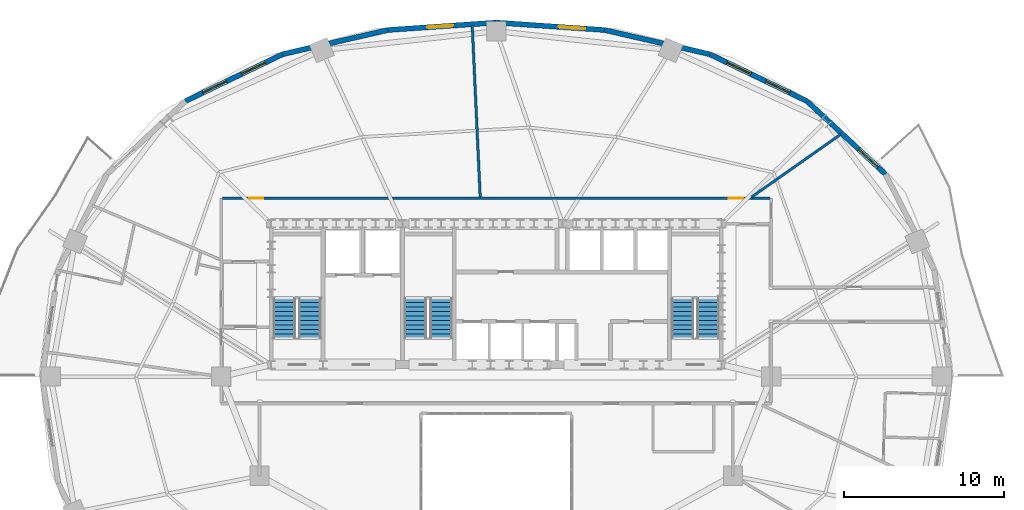
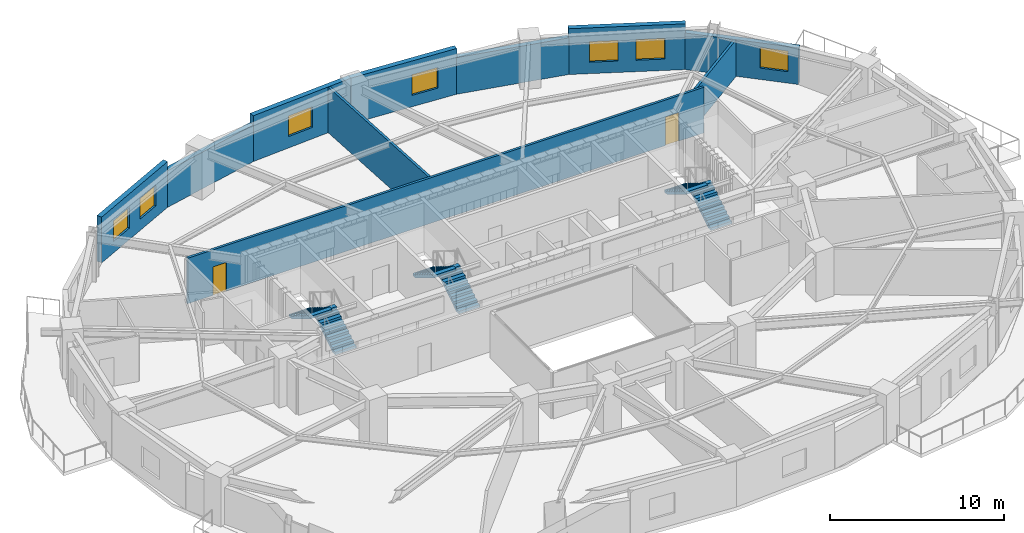
# One storey, part 9 of 13: 10 walls, 7 windows, 6 stair flights, 2 doors, 9 openings, 3 elements without a shape of their own.
"""IFC4 building model written with IfcOpenShell, lengths in metres."""

from ifc_helpers import new_model, si_unit, direction, frame, frame_2d, origin, place, context, subcontext, project, spatial, polyline, rectangle, outline, extrude, material, layer, layer_set, type_object, element, fill, aggregate, save


model = new_model("IFC4")

# Units and contexts
model_context = context("Model", 3, precision=1e-05, world=origin(), true_north=direction((0.0, 1.0)))
body_context = subcontext(model_context, "Body", "Model", "MODEL_VIEW")
ifc_project = project(units=[si_unit("LENGTHUNIT", "METRE"), si_unit("AREAUNIT", "SQUARE_METRE"), si_unit("VOLUMEUNIT", "CUBIC_METRE"), si_unit("PLANEANGLEUNIT", "RADIAN"), si_unit("MASSUNIT", "GRAM", prefix="KILO")], contexts=[model_context])

# Site, building, storey
site_placement = place(None, origin())
site = spatial("IfcSite", under=ifc_project, at=site_placement, CompositionType="ELEMENT")
building_placement = place(site_placement, origin())
building = spatial("IfcBuilding", under=site, at=building_placement, Name="Haldorwick Loom Tower", CompositionType="ELEMENT")
storey_placement = place(building_placement, frame((0.0, 0.0, 120.800048828125)))
storey = spatial("IfcBuildingStorey", under=building, at=storey_placement, Name="L32", CompositionType="ELEMENT", Elevation=120.800048828125)

# Wall, opening, window
ifc_material_1 = material(Name="Pressed Clay Face Brick and Insulated Masonry Backup Assembly", Category="masonry")
ifc_layer_1 = layer(ifc_material_1, 0.320068359375, Name="Pressed Clay Face Brick and Insulated Masonry Backup Assembly", Category="masonry")
ifc_layer_set_1 = layer_set([ifc_layer_1], Name="Pressed Clay Face Brick and Insulated Masonry Backup Assembly")
wall_type_1 = type_object("IfcWallType", Name="ARC-WL-EXT320", PredefinedType="STANDARD", material=ifc_layer_set_1)
wall_1_placement = place(storey_placement, frame((60.338623046875, 38.655517578125, 0.0), z_axis=(0.0, 0.0, 1.0), x_axis=(-0.732137360086, 0.681157020052, 0.0)))
wall_1 = element("IfcWall", 1, at=wall_1_placement, inside=storey, type_object=wall_type_1, Name="L32 Brick Pier and Spandrel Wall 3", PredefinedType="STANDARD", context=body_context, shape_type="SweptSolid", body=[
    extrude(rectangle(XDim=6.709228515625, YDim=0.320068359375, at=frame_2d((3.3544921875, 0.0))), origin(), (0.0, 0.0, 1.0), 2.56884765625),
])
opening_1_placement = place(wall_1_placement, frame((0.639892578125, 0.0, 0.800048828125)))
opening_1 = element("IfcOpeningElement", 2, at=opening_1_placement, cuts=wall_1, Name="Opening W-01B", PredefinedType="OPENING", context=body_context, shape_type="SweptSolid", body=[
    extrude(rectangle(XDim=1.64990234375, YDim=1.449951171875, at=frame_2d((0.824951171875, 0.72509765625))), frame((0.0, 0.169921875, 0.0), z_axis=(0.0, -1.0, 0.0), x_axis=(1.0, 0.0, 0.0)), (0.0, 0.0, 1.0), 0.340087890625),
])
ifc_material_2 = material(Name="Triple-Glazed Low-E Argon Insulated Glazing Unit", Category="glass")
window_type = type_object("IfcWindowType", Name="ARC-WIN-W165", PartitioningType="SINGLE_PANEL", PredefinedType="WINDOW", material=ifc_material_2)
window_1_placement = place(opening_1_placement, origin())
window_1 = element("IfcWindow", 3, at=window_1_placement, inside=storey, type_object=window_type, Name="L32 Deep-Set Zone 7A Window 3", OverallHeight=1.449951171875, OverallWidth=1.64990234375, PartitioningType="SINGLE_PANEL", PredefinedType="WINDOW", context=body_context, shape_type="SweptSolid", body=[
    extrude(rectangle(XDim=1.64990234375, YDim=1.449951171875, at=frame_2d((0.824951171875, 0.72509765625))), frame((0.0, 0.030029296875, 0.0), z_axis=(0.0, -1.0, 0.0), x_axis=(1.0, 0.0, 0.0)), (0.0, 0.0, 1.0), 0.06005859375),
])
fill(opening_1, window_1)

# Wall, openings, windows
wall_2_placement = place(storey_placement, frame((55.426513671875, 43.2255859375, 0.0), z_axis=(0.0, 0.0, 1.0), x_axis=(-0.900510094661, 0.434835106004, 0.0)))
wall_2 = element("IfcWall", 4, at=wall_2_placement, inside=storey, type_object=wall_type_1, Name="L32 Brick Pier and Spandrel Wall 4", PredefinedType="STANDARD", context=body_context, shape_type="SweptSolid", body=[
    extrude(rectangle(XDim=6.744873046875, YDim=0.320068359375, at=frame_2d((3.37255859375, 0.0))), origin(), (0.0, 0.0, 1.0), 3.2099609375),
])
opening_2_placement = place(wall_2_placement, frame((1.198486328125, 0.0, 0.800048828125)))
opening_2 = element("IfcOpeningElement", 5, at=opening_2_placement, cuts=wall_2, Name="Opening W-01B", PredefinedType="OPENING", context=body_context, shape_type="SweptSolid", body=[
    extrude(rectangle(XDim=1.64990234375, YDim=1.449951171875, at=frame_2d((0.824951171875, 0.72509765625))), frame((0.0, 0.169921875, 0.0), z_axis=(0.0, -1.0, 0.0), x_axis=(1.0, 0.0, 0.0)), (0.0, 0.0, 1.0), 0.340087890625),
])
opening_3_placement = place(wall_2_placement, frame((3.896484375, 0.0, 0.800048828125)))
opening_3 = element("IfcOpeningElement", 6, at=opening_3_placement, cuts=wall_2, Name="Opening W-01B", PredefinedType="OPENING", context=body_context, shape_type="SweptSolid", body=[
    extrude(rectangle(XDim=1.64990234375, YDim=1.449951171875, at=frame_2d((0.824951171875, 0.72509765625))), frame((0.0, 0.169921875, 0.0), z_axis=(0.0, -1.0, 0.0), x_axis=(1.0, 0.0, 0.0)), (0.0, 0.0, 1.0), 0.340087890625),
])
window_2_placement = place(opening_2_placement, origin())
window_2 = element("IfcWindow", 7, at=window_2_placement, inside=storey, type_object=window_type, Name="L32 Deep-Set Zone 7A Window 4", OverallHeight=1.449951171875, OverallWidth=1.64990234375, PartitioningType="SINGLE_PANEL", PredefinedType="WINDOW", context=body_context, shape_type="SweptSolid", body=[
    extrude(rectangle(XDim=1.64990234375, YDim=1.449951171875, at=frame_2d((0.824951171875, 0.72509765625))), frame((0.0, 0.030029296875, 0.0), z_axis=(0.0, -1.0, 0.0), x_axis=(1.0, 0.0, 0.0)), (0.0, 0.0, 1.0), 0.06005859375),
])
fill(opening_2, window_2)
window_3_placement = place(opening_3_placement, origin())
window_3 = element("IfcWindow", 8, at=window_3_placement, inside=storey, type_object=window_type, Name="L32 Deep-Set Zone 7A Window 4", OverallHeight=1.449951171875, OverallWidth=1.64990234375, PartitioningType="SINGLE_PANEL", PredefinedType="WINDOW", context=body_context, shape_type="SweptSolid", body=[
    extrude(rectangle(XDim=1.64990234375, YDim=1.449951171875, at=frame_2d((0.824951171875, 0.72509765625))), frame((0.0, 0.030029296875, 0.0), z_axis=(0.0, -1.0, 0.0), x_axis=(1.0, 0.0, 0.0)), (0.0, 0.0, 1.0), 0.06005859375),
])
fill(opening_3, window_3)

# Wall
wall_3_placement = place(storey_placement, frame((49.352783203125, 46.158447265625, 0.0), z_axis=(0.0, 0.0, 1.0), x_axis=(-0.974584177714, 0.224021607329, 0.0)))
element("IfcWall", 9, at=wall_3_placement, inside=storey, type_object=wall_type_1, Name="L32 Brick Pier and Spandrel Wall 5", PredefinedType="STANDARD", context=body_context, shape_type="SweptSolid", body=[
    extrude(rectangle(XDim=6.767822265625, YDim=0.320068359375, at=frame_2d((3.3837890625, 0.0))), origin(), (0.0, 0.0, 1.0), 2.56884765625),
])

# Wall, opening, window
wall_4_placement = place(storey_placement, frame((42.757080078125, 47.674560546875, 0.0), z_axis=(0.0, 0.0, 1.0), x_axis=(-0.997651949344, 0.068487867318, 0.0)))
wall_4 = element("IfcWall", 10, at=wall_4_placement, inside=storey, type_object=wall_type_1, Name="L32 Brick Pier and Spandrel Wall 6", PredefinedType="STANDARD", context=body_context, shape_type="SweptSolid", body=[
    extrude(rectangle(XDim=6.77294921875, YDim=0.320068359375, at=frame_2d((3.386474609375, 0.0))), origin(), (0.0, 0.0, 1.0), 3.2099609375),
])
opening_4_placement = place(wall_4_placement, frame((1.206787109375, 0.0, 0.800048828125)))
opening_4 = element("IfcOpeningElement", 11, at=opening_4_placement, cuts=wall_4, Name="Opening W-01B", PredefinedType="OPENING", context=body_context, shape_type="SweptSolid", body=[
    extrude(rectangle(XDim=1.64990234375, YDim=1.449951171875, at=frame_2d((0.824951171875, 0.72509765625))), frame((0.0, 0.169921875, 0.0), z_axis=(0.0, -1.0, 0.0), x_axis=(1.0, 0.0, 0.0)), (0.0, 0.0, 1.0), 0.340087890625),
])
window_4_placement = place(opening_4_placement, origin())
window_4 = element("IfcWindow", 12, at=window_4_placement, inside=storey, type_object=window_type, Name="L32 Deep-Set Zone 7A Window 6", OverallHeight=1.449951171875, OverallWidth=1.64990234375, PartitioningType="SINGLE_PANEL", PredefinedType="WINDOW", context=body_context, shape_type="SweptSolid", body=[
    extrude(rectangle(XDim=1.64990234375, YDim=1.449951171875, at=frame_2d((0.824951171875, 0.72509765625))), frame((0.0, 0.030029296875, 0.0), z_axis=(0.0, -1.0, 0.0), x_axis=(1.0, 0.0, 0.0)), (0.0, 0.0, 1.0), 0.06005859375),
])
fill(opening_4, window_4)

wall_5_placement = place(storey_placement, frame((36.0, 48.138427734375, 0.0), z_axis=(0.0, 0.0, 1.0), x_axis=(-0.997651949344, -0.068487867318, 0.0)))
wall_5 = element("IfcWall", 13, at=wall_5_placement, inside=storey, type_object=wall_type_1, Name="L32 Brick Pier and Spandrel Wall 7", PredefinedType="STANDARD", context=body_context, shape_type="SweptSolid", body=[
    extrude(rectangle(XDim=6.77294921875, YDim=0.320068359375, at=frame_2d((3.386474609375, 0.0))), origin(), (0.0, 0.0, 1.0), 3.2099609375),
])
opening_5_placement = place(wall_5_placement, frame((2.681640625, 0.0, 0.800048828125)))
opening_5 = element("IfcOpeningElement", 14, at=opening_5_placement, cuts=wall_5, Name="Opening W-01B", PredefinedType="OPENING", context=body_context, shape_type="SweptSolid", body=[
    extrude(rectangle(XDim=1.64990234375, YDim=1.449951171875, at=frame_2d((0.824951171875, 0.72509765625))), frame((0.0, 0.169921875, 0.0), z_axis=(0.0, -1.0, 0.0), x_axis=(1.0, 0.0, 0.0)), (0.0, 0.0, 1.0), 0.340087890625),
])
window_5_placement = place(opening_5_placement, origin())
window_5 = element("IfcWindow", 15, at=window_5_placement, inside=storey, type_object=window_type, Name="L32 Deep-Set Zone 7A Window 7", OverallHeight=1.449951171875, OverallWidth=1.64990234375, PartitioningType="SINGLE_PANEL", PredefinedType="WINDOW", context=body_context, shape_type="SweptSolid", body=[
    extrude(rectangle(XDim=1.64990234375, YDim=1.449951171875, at=frame_2d((0.824951171875, 0.72509765625))), frame((0.0, 0.030029296875, 0.0), z_axis=(0.0, -1.0, 0.0), x_axis=(1.0, 0.0, 0.0)), (0.0, 0.0, 1.0), 0.06005859375),
])
fill(opening_5, window_5)

# Wall
wall_6_placement = place(storey_placement, frame((29.242919921875, 47.674560546875, 0.0), z_axis=(0.0, 0.0, 1.0), x_axis=(-0.974584177714, -0.224021607329, 0.0)))
element("IfcWall", 16, at=wall_6_placement, inside=storey, type_object=wall_type_1, Name="L32 Brick Pier and Spandrel Wall 8", PredefinedType="STANDARD", context=body_context, shape_type="SweptSolid", body=[
    extrude(rectangle(XDim=6.767822265625, YDim=0.320068359375, at=frame_2d((3.3837890625, 0.0))), origin(), (0.0, 0.0, 1.0), 2.56884765625),
])

# Wall, openings, windows
wall_7_placement = place(storey_placement, frame((22.647216796875, 46.158447265625, 0.0), z_axis=(0.0, 0.0, 1.0), x_axis=(-0.900510094661, -0.434835106004, 0.0)))
wall_7 = element("IfcWall", 17, at=wall_7_placement, inside=storey, type_object=wall_type_1, Name="L32 Brick Pier and Spandrel Wall 9", PredefinedType="STANDARD", context=body_context, shape_type="SweptSolid", body=[
    extrude(rectangle(XDim=6.744873046875, YDim=0.320068359375, at=frame_2d((3.37255859375, 0.0))), origin(), (0.0, 0.0, 1.0), 3.2099609375),
])
opening_6_placement = place(wall_7_placement, frame((1.198486328125, 0.0, 0.800048828125)))
opening_6 = element("IfcOpeningElement", 18, at=opening_6_placement, cuts=wall_7, Name="Opening W-01B", PredefinedType="OPENING", context=body_context, shape_type="SweptSolid", body=[
    extrude(rectangle(XDim=1.64990234375, YDim=1.449951171875, at=frame_2d((0.824951171875, 0.72509765625))), frame((0.0, 0.169921875, 0.0), z_axis=(0.0, -1.0, 0.0), x_axis=(1.0, 0.0, 0.0)), (0.0, 0.0, 1.0), 0.340087890625),
])
opening_7_placement = place(wall_7_placement, frame((3.896484375, 0.0, 0.800048828125)))
opening_7 = element("IfcOpeningElement", 19, at=opening_7_placement, cuts=wall_7, Name="Opening W-01B", PredefinedType="OPENING", context=body_context, shape_type="SweptSolid", body=[
    extrude(rectangle(XDim=1.64990234375, YDim=1.449951171875, at=frame_2d((0.824951171875, 0.72509765625))), frame((0.0, 0.169921875, 0.0), z_axis=(0.0, -1.0, 0.0), x_axis=(1.0, 0.0, 0.0)), (0.0, 0.0, 1.0), 0.340087890625),
])
window_6_placement = place(opening_6_placement, origin())
window_6 = element("IfcWindow", 20, at=window_6_placement, inside=storey, type_object=window_type, Name="L32 Deep-Set Zone 7A Window 9", OverallHeight=1.449951171875, OverallWidth=1.64990234375, PartitioningType="SINGLE_PANEL", PredefinedType="WINDOW", context=body_context, shape_type="SweptSolid", body=[
    extrude(rectangle(XDim=1.64990234375, YDim=1.449951171875, at=frame_2d((0.824951171875, 0.72509765625))), frame((0.0, 0.030029296875, 0.0), z_axis=(0.0, -1.0, 0.0), x_axis=(1.0, 0.0, 0.0)), (0.0, 0.0, 1.0), 0.06005859375),
])
fill(opening_6, window_6)
window_7_placement = place(opening_7_placement, origin())
window_7 = element("IfcWindow", 21, at=window_7_placement, inside=storey, type_object=window_type, Name="L32 Deep-Set Zone 7A Window 9", OverallHeight=1.449951171875, OverallWidth=1.64990234375, PartitioningType="SINGLE_PANEL", PredefinedType="WINDOW", context=body_context, shape_type="SweptSolid", body=[
    extrude(rectangle(XDim=1.64990234375, YDim=1.449951171875, at=frame_2d((0.824951171875, 0.72509765625))), frame((0.0, 0.030029296875, 0.0), z_axis=(0.0, -1.0, 0.0), x_axis=(1.0, 0.0, 0.0)), (0.0, 0.0, 1.0), 0.06005859375),
])
fill(opening_7, window_7)

# Wall, openings, doors
ifc_material_3 = material(Name="Fire-Rated Type X Gypsum Stud Assembly EI 60")
ifc_layer_2 = layer(ifc_material_3, 0.159912109375, Name="Fire-Rated Type X Gypsum Stud Assembly EI 60")
ifc_layer_set_2 = layer_set([ifc_layer_2], Name="Fire-Rated Type X Gypsum Stud Assembly EI 60")
wall_type_2 = type_object("IfcWallType", Name="ARC-WL-FIRE160", PredefinedType="PARTITIONING", material=ifc_layer_set_2)
wall_8_placement = place(storey_placement, frame((18.883056640625, 37.14990234375, 0.0), z_axis=(0.0, 0.0, 1.0), x_axis=(1.0, 0.0, 0.0)))
wall_8 = element("IfcWall", 22, at=wall_8_placement, inside=storey, type_object=wall_type_2, Name="L32 Residential Fire Partition L32-CR-N0", PredefinedType="PARTITIONING", context=body_context, shape_type="SweptSolid", body=[
    extrude(rectangle(XDim=34.23388671875, YDim=0.159912109375, at=frame_2d((17.116943359375, 0.0))), origin(), (0.0, 0.0, 1.0), 3.195068359375),
])
opening_8_placement = place(wall_8_placement, frame((31.6689453125, 0.0, 0.0)))
opening_8 = element("IfcOpeningElement", 23, at=opening_8_placement, cuts=wall_8, Name="Opening D-FD60A", PredefinedType="OPENING", context=body_context, shape_type="SweptSolid", body=[
    extrude(rectangle(XDim=0.89990234375, YDim=2.0, at=frame_2d((0.449951171875, 1.0))), frame((0.0, 0.08984375, 0.0), z_axis=(0.0, -1.0, 0.0), x_axis=(1.0, 0.0, 0.0)), (0.0, 0.0, 1.0), 0.179931640625),
])
opening_9_placement = place(wall_8_placement, frame((1.662109375, 0.0, 0.0)))
opening_9 = element("IfcOpeningElement", 24, at=opening_9_placement, cuts=wall_8, Name="Opening D-FD60A", PredefinedType="OPENING", context=body_context, shape_type="SweptSolid", body=[
    extrude(rectangle(XDim=0.89990234375, YDim=2.0, at=frame_2d((0.449951171875, 1.0))), frame((0.0, 0.08984375, 0.0), z_axis=(0.0, -1.0, 0.0), x_axis=(1.0, 0.0, 0.0)), (0.0, 0.0, 1.0), 0.179931640625),
])
ifc_material_4 = material(Name="Hollow Steel Fire Door Assembly", Category="steel")
door_type = type_object("IfcDoorType", Name="ARC-DR-FD60-90", OperationType="NOTDEFINED", PredefinedType="DOOR", material=ifc_material_4)
door_1_placement = place(opening_8_placement, frame((0.89990234375, 0.0, 0.0), z_axis=(0.0, 0.0, 1.0), x_axis=(-1.0, 0.0, 0.0)))
door_1 = element("IfcDoor", 25, at=door_1_placement, inside=storey, type_object=door_type, Name="L32 Community Library Hall 8 to L32 North Residential Corridor Door", OperationType="SINGLE_SWING_RIGHT", OverallHeight=2.0, OverallWidth=0.89990234375, PredefinedType="DOOR", context=body_context, shape_type="SweptSolid", body=[
    extrude(rectangle(XDim=0.89990234375, YDim=2.0, at=frame_2d((0.449951171875, 1.0))), frame((0.0, 0.02490234375, 0.0), z_axis=(0.0, -1.0, 0.0), x_axis=(1.0, 0.0, 0.0)), (0.0, 0.0, 1.0), 0.050048828125),
])
fill(opening_8, door_1)
door_2_placement = place(opening_9_placement, frame((0.89990234375, 0.0, 0.0), z_axis=(0.0, 0.0, 1.0), x_axis=(-1.0, 0.0, 0.0)))
door_2 = element("IfcDoor", 26, at=door_2_placement, inside=storey, type_object=door_type, Name="L32 Community Library Hall 7 to L32 North Residential Corridor Door", OperationType="SINGLE_SWING_RIGHT", OverallHeight=2.0, OverallWidth=0.89990234375, PredefinedType="DOOR", context=body_context, shape_type="SweptSolid", body=[
    extrude(rectangle(XDim=0.89990234375, YDim=2.0, at=frame_2d((0.449951171875, 1.0))), frame((0.0, 0.02490234375, 0.0), z_axis=(0.0, -1.0, 0.0), x_axis=(1.0, 0.0, 0.0)), (0.0, 0.0, 1.0), 0.050048828125),
])
fill(opening_9, door_2)

# Walls
wall_9_placement = place(storey_placement, frame((34.99609375, 37.23291015625, 0.0), z_axis=(0.0, 0.0, 1.0), x_axis=(-0.046357565748, 0.99892491014, 0.0)))
element("IfcWall", 27, at=wall_9_placement, inside=storey, type_object=wall_type_2, Name="L32 Residential Fire Partition L32-UPN-11", PredefinedType="PARTITIONING", context=body_context, shape_type="SweptSolid", body=[
    extrude(rectangle(XDim=10.748779296875, YDim=0.159912109375, at=frame_2d((5.37451171875, 0.0))), origin(), (0.0, 0.0, 1.0), 3.195068359375),
])
wall_10_placement = place(storey_placement, frame((51.970458984375, 37.23291015625, 0.0), z_axis=(0.0, 0.0, 1.0), x_axis=(0.817920521729, 0.575331226455, 0.0)))
element("IfcWall", 28, at=wall_10_placement, inside=storey, type_object=wall_type_2, Name="L32 Suite Split Wall", PredefinedType="PARTITIONING", context=body_context, shape_type="SweptSolid", body=[
    extrude(rectangle(XDim=6.824462890625, YDim=0.159912109375, at=frame_2d((3.412109375, 0.0))), origin(), (0.0, 0.0, 1.0), 2.56787109375),
])

# Stair, stair flights
ifc_material_5 = material(Name="Concrete C40 (40 MPa)", Category="concrete")
stair_type = type_object("IfcStairType", Name="STR-STR-CORE", PredefinedType="HALF_TURN_STAIR", material=ifc_material_5)
stair_1_placement = place(storey_placement, origin())
stair_1 = element("IfcStair", 29, at=stair_1_placement, inside=storey, type_object=stair_type, Name="L32 Exit Stair ST-01", PredefinedType="HALF_TURN_STAIR")
stair_flight_type = type_object("IfcStairFlightType", Name="STR-STF-1250", PredefinedType="STRAIGHT", material=ifc_material_5)
stair_flight_1_placement = place(storey_placement, frame((24.35009765625, 28.39990234375, 0.0), z_axis=(0.0, 0.0, 1.0), x_axis=(0.0, 1.0, 0.0)))
stair_flight_1 = element("IfcStairFlight", 30, at=stair_flight_1_placement, type_object=stair_flight_type, Name="ST-01 flight 1", NumberOfRisers=10, NumberOfTreads=9, PredefinedType="STRAIGHT", RiserHeight=0.1725, TreadLength=0.28, context=body_context, shape_type="SweptSolid", body=[
    extrude(outline(polyline([(0.0, 0.0), (0.0, 0.172607421875), (0.280029296875, 0.172607421875), (0.280029296875, 0.344970703125), (0.56005859375, 0.344970703125), (0.56005859375, 0.517578125), (0.840087890625, 0.517578125), (0.840087890625, 0.68994140625), (1.1201171875, 0.68994140625), (1.1201171875, 0.862548828125), (1.39990234375, 0.862548828125), (1.39990234375, 1.034912109375), (1.679931640625, 1.034912109375), (1.679931640625, 1.20751953125), (1.9599609375, 1.20751953125), (1.9599609375, 1.3798828125), (2.239990234375, 1.3798828125), (2.239990234375, 1.552490234375), (2.52001953125, 1.552490234375), (2.52001953125, 1.72509765625), (2.52001953125, 1.37646484375), (0.285888671875, 0.0), (0.0, 0.0)])), frame((0.0, 0.699951171875, 0.0), z_axis=(0.0, -1.0, 0.0), x_axis=(1.0, 0.0, 0.0)), (0.0, 0.0, 1.0), 1.39990234375),
])
stair_flight_2_placement = place(storey_placement, frame((22.75, 30.919921875, 1.724853515625), z_axis=(0.0, 0.0, 1.0), x_axis=(0.0, -1.0, 0.0)))
stair_flight_2 = element("IfcStairFlight", 31, at=stair_flight_2_placement, type_object=stair_flight_type, Name="ST-01 flight 2", NumberOfRisers=10, NumberOfTreads=9, PredefinedType="STRAIGHT", RiserHeight=0.1725, TreadLength=0.28, context=body_context, shape_type="SweptSolid", body=[
    extrude(outline(polyline([(0.0, 0.0), (0.0, 0.172607421875), (0.280029296875, 0.172607421875), (0.280029296875, 0.344970703125), (0.56005859375, 0.344970703125), (0.56005859375, 0.517578125), (0.840087890625, 0.517578125), (0.840087890625, 0.68994140625), (1.1201171875, 0.68994140625), (1.1201171875, 0.862548828125), (1.39990234375, 0.862548828125), (1.39990234375, 1.034912109375), (1.679931640625, 1.034912109375), (1.679931640625, 1.20751953125), (1.9599609375, 1.20751953125), (1.9599609375, 1.3798828125), (2.239990234375, 1.3798828125), (2.239990234375, 1.552490234375), (2.52001953125, 1.552490234375), (2.52001953125, 1.72509765625), (2.52001953125, 1.37646484375), (0.285888671875, 0.0), (0.0, 0.0)])), frame((0.0, 0.699951171875, 0.0), z_axis=(0.0, -1.0, 0.0), x_axis=(1.0, 0.0, 0.0)), (0.0, 0.0, 1.0), 1.39990234375),
])
aggregate(stair_1, [stair_flight_1, stair_flight_2])

stair_2_placement = place(storey_placement, origin())
stair_2 = element("IfcStair", 32, at=stair_2_placement, inside=storey, type_object=stair_type, Name="L32 Exit Stair ST-02", PredefinedType="HALF_TURN_STAIR")
stair_flight_3_placement = place(storey_placement, frame((49.25, 28.39990234375, 0.0), z_axis=(0.0, 0.0, 1.0), x_axis=(0.0, 1.0, 0.0)))
stair_flight_3 = element("IfcStairFlight", 33, at=stair_flight_3_placement, type_object=stair_flight_type, Name="ST-02 flight 1", NumberOfRisers=10, NumberOfTreads=9, PredefinedType="STRAIGHT", RiserHeight=0.1725, TreadLength=0.28, context=body_context, shape_type="SweptSolid", body=[
    extrude(outline(polyline([(0.0, 0.0), (0.0, 0.172607421875), (0.280029296875, 0.172607421875), (0.280029296875, 0.344970703125), (0.56005859375, 0.344970703125), (0.56005859375, 0.517578125), (0.840087890625, 0.517578125), (0.840087890625, 0.68994140625), (1.1201171875, 0.68994140625), (1.1201171875, 0.862548828125), (1.39990234375, 0.862548828125), (1.39990234375, 1.034912109375), (1.679931640625, 1.034912109375), (1.679931640625, 1.20751953125), (1.9599609375, 1.20751953125), (1.9599609375, 1.3798828125), (2.239990234375, 1.3798828125), (2.239990234375, 1.552490234375), (2.52001953125, 1.552490234375), (2.52001953125, 1.72509765625), (2.52001953125, 1.37646484375), (0.285888671875, 0.0), (0.0, 0.0)])), frame((0.0, 0.699951171875, 0.0), z_axis=(0.0, -1.0, 0.0), x_axis=(1.0, 0.0, 0.0)), (0.0, 0.0, 1.0), 1.39990234375),
])
stair_flight_4_placement = place(storey_placement, frame((47.64990234375, 30.919921875, 1.724853515625), z_axis=(0.0, 0.0, 1.0), x_axis=(0.0, -1.0, 0.0)))
stair_flight_4 = element("IfcStairFlight", 34, at=stair_flight_4_placement, type_object=stair_flight_type, Name="ST-02 flight 2", NumberOfRisers=10, NumberOfTreads=9, PredefinedType="STRAIGHT", RiserHeight=0.1725, TreadLength=0.28, context=body_context, shape_type="SweptSolid", body=[
    extrude(outline(polyline([(0.0, 0.0), (0.0, 0.172607421875), (0.280029296875, 0.172607421875), (0.280029296875, 0.344970703125), (0.56005859375, 0.344970703125), (0.56005859375, 0.517578125), (0.840087890625, 0.517578125), (0.840087890625, 0.68994140625), (1.1201171875, 0.68994140625), (1.1201171875, 0.862548828125), (1.39990234375, 0.862548828125), (1.39990234375, 1.034912109375), (1.679931640625, 1.034912109375), (1.679931640625, 1.20751953125), (1.9599609375, 1.20751953125), (1.9599609375, 1.3798828125), (2.239990234375, 1.3798828125), (2.239990234375, 1.552490234375), (2.52001953125, 1.552490234375), (2.52001953125, 1.72509765625), (2.52001953125, 1.37646484375), (0.285888671875, 0.0), (0.0, 0.0)])), frame((0.0, 0.699951171875, 0.0), z_axis=(0.0, -1.0, 0.0), x_axis=(1.0, 0.0, 0.0)), (0.0, 0.0, 1.0), 1.39990234375),
])
aggregate(stair_2, [stair_flight_3, stair_flight_4])

stair_3_placement = place(storey_placement, origin())
stair_3 = element("IfcStair", 35, at=stair_3_placement, inside=storey, type_object=stair_type, Name="L32 Exit Stair ST-03", PredefinedType="HALF_TURN_STAIR")
stair_flight_5_placement = place(storey_placement, frame((32.550048828125, 28.39990234375, 0.0), z_axis=(0.0, 0.0, 1.0), x_axis=(0.0, 1.0, 0.0)))
stair_flight_5 = element("IfcStairFlight", 36, at=stair_flight_5_placement, type_object=stair_flight_type, Name="ST-03 flight 1", NumberOfRisers=10, NumberOfTreads=9, PredefinedType="STRAIGHT", RiserHeight=0.1725, TreadLength=0.28, context=body_context, shape_type="SweptSolid", body=[
    extrude(outline(polyline([(0.0, 0.0), (0.0, 0.172607421875), (0.280029296875, 0.172607421875), (0.280029296875, 0.344970703125), (0.56005859375, 0.344970703125), (0.56005859375, 0.517578125), (0.840087890625, 0.517578125), (0.840087890625, 0.68994140625), (1.1201171875, 0.68994140625), (1.1201171875, 0.862548828125), (1.39990234375, 0.862548828125), (1.39990234375, 1.034912109375), (1.679931640625, 1.034912109375), (1.679931640625, 1.20751953125), (1.9599609375, 1.20751953125), (1.9599609375, 1.3798828125), (2.239990234375, 1.3798828125), (2.239990234375, 1.552490234375), (2.52001953125, 1.552490234375), (2.52001953125, 1.72509765625), (2.52001953125, 1.37646484375), (0.285888671875, 0.0), (0.0, 0.0)])), frame((0.0, 0.699951171875, 0.0), z_axis=(0.0, -1.0, 0.0), x_axis=(1.0, 0.0, 0.0)), (0.0, 0.0, 1.0), 1.39990234375),
])
stair_flight_6_placement = place(storey_placement, frame((30.949951171875, 30.919921875, 1.724853515625), z_axis=(0.0, 0.0, 1.0), x_axis=(0.0, -1.0, 0.0)))
stair_flight_6 = element("IfcStairFlight", 37, at=stair_flight_6_placement, type_object=stair_flight_type, Name="ST-03 flight 2", NumberOfRisers=10, NumberOfTreads=9, PredefinedType="STRAIGHT", RiserHeight=0.1725, TreadLength=0.28, context=body_context, shape_type="SweptSolid", body=[
    extrude(outline(polyline([(0.0, 0.0), (0.0, 0.172607421875), (0.280029296875, 0.172607421875), (0.280029296875, 0.344970703125), (0.56005859375, 0.344970703125), (0.56005859375, 0.517578125), (0.840087890625, 0.517578125), (0.840087890625, 0.68994140625), (1.1201171875, 0.68994140625), (1.1201171875, 0.862548828125), (1.39990234375, 0.862548828125), (1.39990234375, 1.034912109375), (1.679931640625, 1.034912109375), (1.679931640625, 1.20751953125), (1.9599609375, 1.20751953125), (1.9599609375, 1.3798828125), (2.239990234375, 1.3798828125), (2.239990234375, 1.552490234375), (2.52001953125, 1.552490234375), (2.52001953125, 1.72509765625), (2.52001953125, 1.37646484375), (0.285888671875, 0.0), (0.0, 0.0)])), frame((0.0, 0.699951171875, 0.0), z_axis=(0.0, -1.0, 0.0), x_axis=(1.0, 0.0, 0.0)), (0.0, 0.0, 1.0), 1.39990234375),
])
aggregate(stair_3, [stair_flight_5, stair_flight_6])

save(model, "model.ifc")
